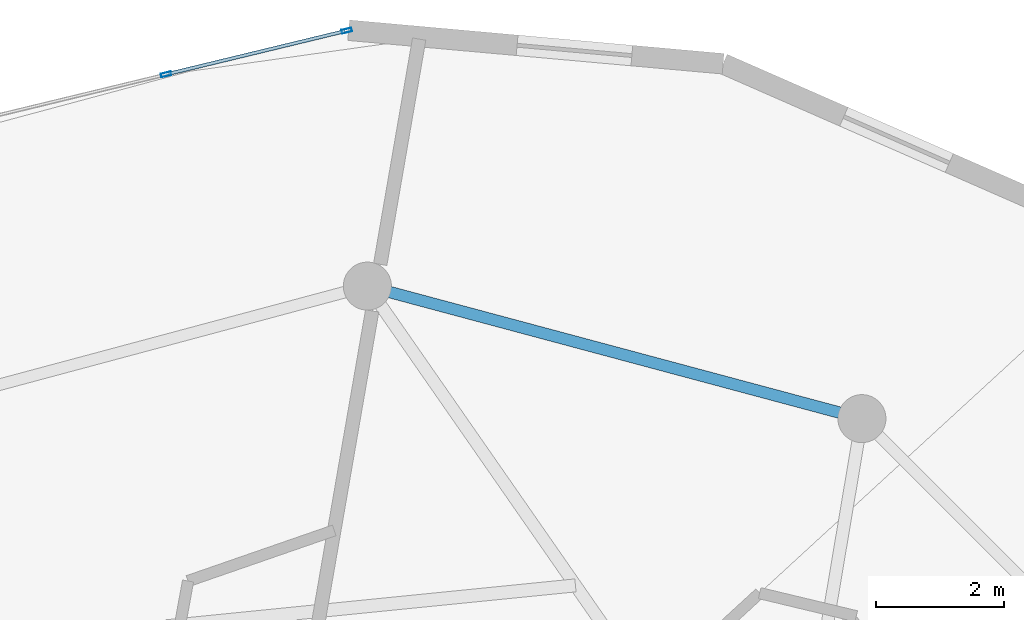
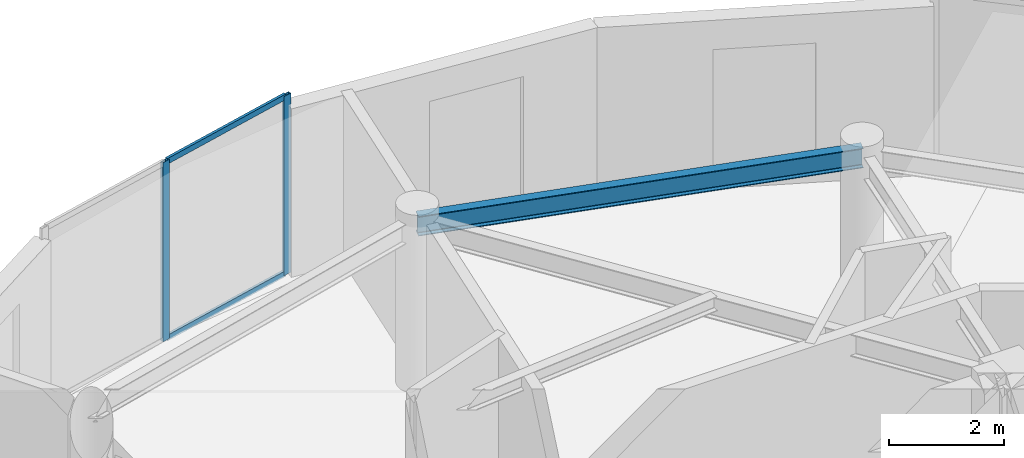
# One storey, part 11 of 19: 4 members, 1 beam, 1 element without a shape of its own.
"""IFC4 building model written with IfcOpenShell, lengths in metres."""

from ifc_helpers import new_model, si_unit, direction, frame, origin, origin_2d, place, context, subcontext, project, spatial, hollow_rectangle, i_section, extrude, source, transform, mapped, material, layer, layer_set, material_profile, profile_set, type_object, element, aggregate, save


model = new_model("IFC4")

# Units and contexts
model_context = context("Model", 3, precision=1e-05, world=origin(), true_north=direction((0.0, 1.0)))
body_context = subcontext(model_context, "Body", "Model", "MODEL_VIEW")
ifc_project = project(units=[si_unit("LENGTHUNIT", "METRE"), si_unit("AREAUNIT", "SQUARE_METRE"), si_unit("VOLUMEUNIT", "CUBIC_METRE"), si_unit("PLANEANGLEUNIT", "RADIAN"), si_unit("MASSUNIT", "GRAM", prefix="KILO")], contexts=[model_context])

# Site, building, storey
site_placement = place(None, origin())
site = spatial("IfcSite", under=ifc_project, at=site_placement, CompositionType="ELEMENT")
building_placement = place(site_placement, origin())
building = spatial("IfcBuilding", under=site, at=building_placement, Name="Solvirekh Grand Hotel", CompositionType="ELEMENT")
storey_placement = place(building_placement, frame((0.0, 0.0, 266.800048828125)))
storey = spatial("IfcBuildingStorey", under=building, at=storey_placement, Name="L69", CompositionType="ELEMENT", Elevation=266.800048828125)

# Beam
ifc_material_1 = material(Name="Steel S355", Category="steel")
ifc_material_profile_1 = material_profile(ifc_material_1, i_section(OverallWidth=0.180908203125, OverallDepth=0.4169921875, WebThickness=0.010009765625, FlangeThickness=0.01611328125, FilletRadius=0.011962890625, at=origin_2d()), Name="W410X85")
ifc_profile_set_1 = profile_set([ifc_material_profile_1], Name="Steel S355")
beam_type = type_object("IfcBeamType", Name="Spandrel_Ring_W410", PredefinedType="SPANDREL", material=ifc_profile_set_1)
beam_placement = place(storey_placement, frame((7.72509765625, 13.3798828125, 3.36083984375), z_axis=(-0.965921616143, 0.258834757072, 0.0), x_axis=(-0.258834757072, -0.965921616143, 0.0)))
element("IfcBeam", 1, at=beam_placement, inside=storey, type_object=beam_type, Name="L69 perimeter spandrel beam 3", PredefinedType="SPANDREL", context=body_context, shape_type="SweptSolid", body=[
    extrude(i_section(OverallWidth=0.180908203125, OverallDepth=0.4169921875, WebThickness=0.010009765625, FlangeThickness=0.01611328125, FilletRadius=0.011962890625, at=origin_2d()), origin(), (0.0, 0.0, 1.0), 7.99755859375),
])

# Curtain wall, members
ifc_material_2 = material(Name="Anodized Bronze Aluminium 6063-T6", Category="aluminium")
ifc_layer = layer(ifc_material_2, 0.159912109375)
ifc_layer_set = layer_set([ifc_layer], Name="Anodized Bronze Aluminium 6063-T6")
curtain_wall_type = type_object("IfcCurtainWallType", Name="CW_Sys4_HighZoneFlushBronzeCW", PredefinedType="NOTDEFINED", material=ifc_layer_set)
curtain_wall_placement = place(storey_placement, origin())
curtain_wall = element("IfcCurtainWall", 2, at=curtain_wall_placement, inside=storey, type_object=curtain_wall_type, Name="L69 unitised bronze-glass curtain wall CW-L69-C11", PredefinedType="NOTDEFINED")
ifc_material_profile_2 = material_profile(ifc_material_2, hollow_rectangle(XDim=0.06005859375, YDim=0.159912109375, WallThickness=0.0048828125, at=origin_2d()), Name="ALU RHS 160X60X5")
ifc_profile_set_2 = profile_set([ifc_material_profile_2], Name="Anodized Bronze Aluminium 6063-T6")
member_type_1 = type_object("IfcMemberType", Name="CWMullion_Sys4", PredefinedType="MULLION", material=ifc_profile_set_2)
shared_shape_1 = source(origin(), body_context, "Body", "SweptSolid", [
    extrude(hollow_rectangle(XDim=0.06005859375, YDim=0.159912109375, WallThickness=0.0048828125, at=origin_2d()), origin(), (0.0, 0.0, 1.0), 3.800048828125),
])
member_1_placement = place(storey_placement, frame((-0.321044921875, 19.43994140625, 0.0), z_axis=(0.0, 0.0, 1.0), x_axis=(0.235195431247, -0.971948100014, 0.0)))
member_1 = element("IfcMember", 3, at=member_1_placement, type_object=member_type_1, Name="U04 mullion 1", PredefinedType="MULLION", context=body_context, shape_type="MappedRepresentation", body=[
    mapped(shared_shape_1, transform((0.0, 0.0, 0.0), x_axis=(1.0, 0.0, 0.0), y_axis=(0.0, 1.0, 0.0), z_axis=(0.0, 0.0, 1.0), scale=1.0)),
])
member_2_placement = place(storey_placement, frame((-3.1455078125, 18.756591796875, 0.0), z_axis=(0.0, 0.0, 1.0), x_axis=(0.235195431247, -0.971948100014, 0.0)))
member_2 = element("IfcMember", 4, at=member_2_placement, type_object=member_type_1, Name="U04 mullion 2", PredefinedType="MULLION", context=body_context, shape_type="MappedRepresentation", body=[
    mapped(shared_shape_1, transform((0.0, 0.0, 0.0), x_axis=(1.0, 0.0, 0.0), y_axis=(0.0, 1.0, 0.0), z_axis=(0.0, 0.0, 1.0), scale=1.0)),
])
ifc_material_profile_3 = material_profile(ifc_material_2, hollow_rectangle(XDim=0.054931640625, YDim=0.1201171875, WallThickness=0.00390625, at=origin_2d()), Name="ALU RHS 120X55X4")
ifc_profile_set_3 = profile_set([ifc_material_profile_3], Name="Anodized Bronze Aluminium 6063-T6")
member_type_2 = type_object("IfcMemberType", Name="CWTransom_Sys4", PredefinedType="USERDEFINED", material=ifc_profile_set_3)
shared_shape_2 = source(origin(), body_context, "Body", "SweptSolid", [
    extrude(hollow_rectangle(XDim=0.054931640625, YDim=0.1201171875, WallThickness=0.00390625, at=origin_2d()), origin(), (0.0, 0.0, 1.0), 2.845947265625),
])
member_3_placement = place(storey_placement, frame((-0.350341796875, 19.432861328125, 0.02734375), z_axis=(-0.971961303942, -0.235140859144, 0.0), x_axis=(0.235140859144, -0.971961303942, 0.0)))
member_3 = element("IfcMember", 5, at=member_3_placement, type_object=member_type_2, Name="U04 transom 1.1", ObjectType="TRANSOM", PredefinedType="USERDEFINED", context=body_context, shape_type="MappedRepresentation", body=[
    mapped(shared_shape_2, transform((0.0, 0.0, 0.0), x_axis=(1.0, 0.0, 0.0), y_axis=(0.0, 1.0, 0.0), z_axis=(0.0, 0.0, 1.0), scale=1.0)),
])
member_4_placement = place(storey_placement, frame((-0.350341796875, 19.432861328125, 3.7724609375), z_axis=(-0.971961303942, -0.235140859144, 0.0), x_axis=(0.235140859144, -0.971961303942, 0.0)))
member_4 = element("IfcMember", 6, at=member_4_placement, type_object=member_type_2, Name="U04 transom 1.2", ObjectType="TRANSOM", PredefinedType="USERDEFINED", context=body_context, shape_type="MappedRepresentation", body=[
    mapped(shared_shape_2, transform((0.0, 0.0, 0.0), x_axis=(1.0, 0.0, 0.0), y_axis=(0.0, 1.0, 0.0), z_axis=(0.0, 0.0, 1.0), scale=1.0)),
])
aggregate(curtain_wall, [member_1, member_2, member_3, member_4])

save(model, "model.ifc")
